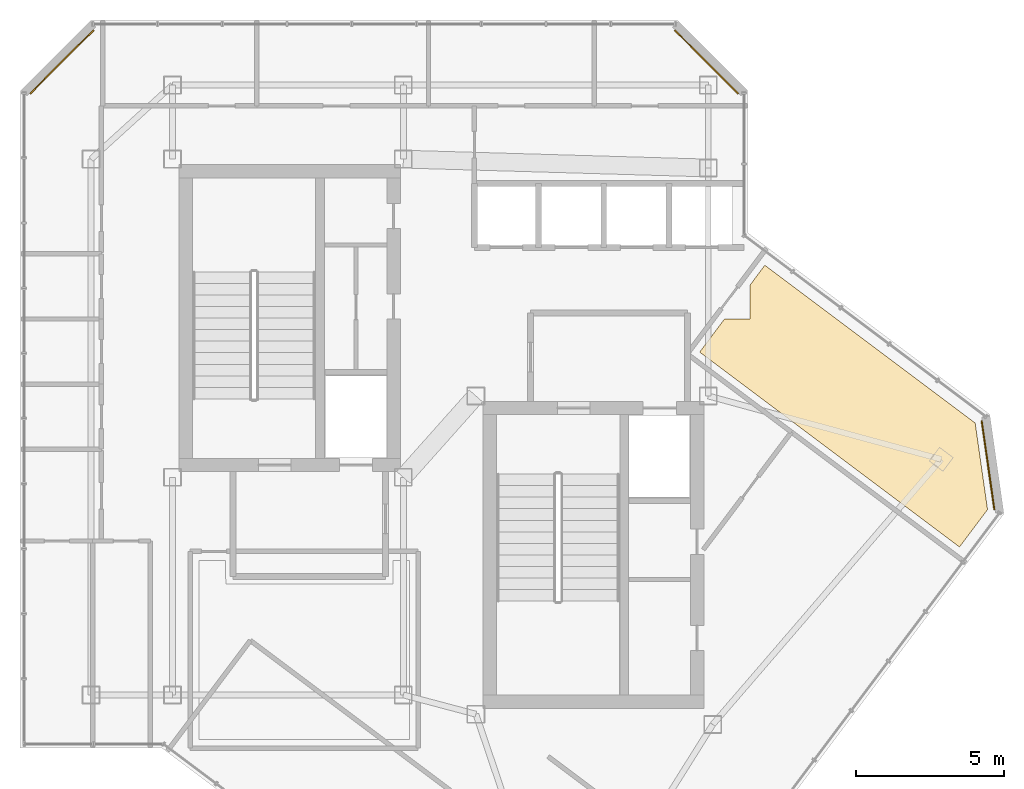
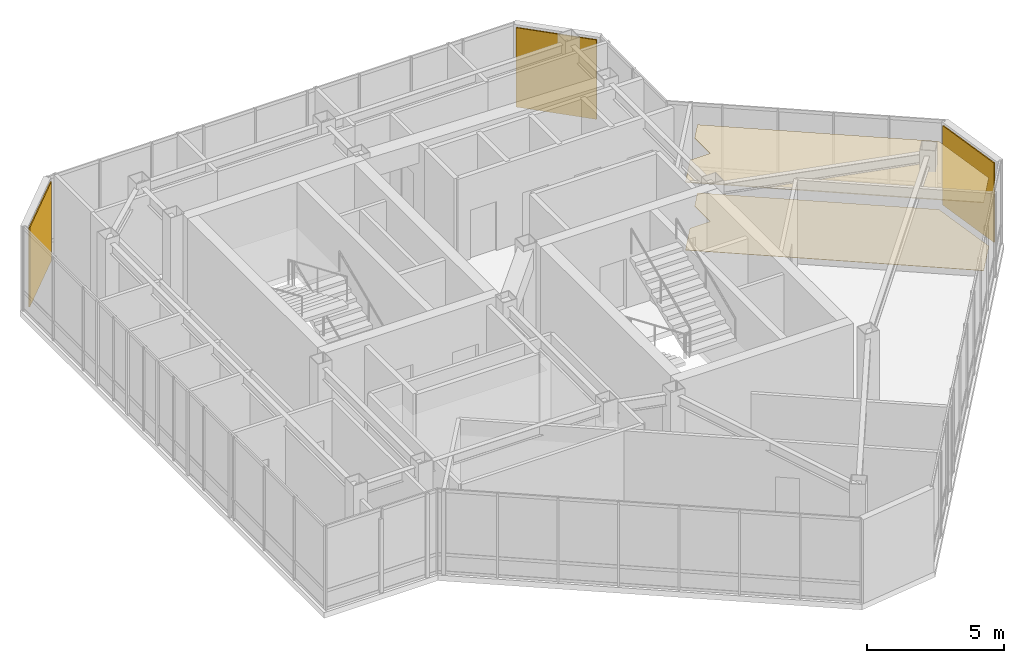
# One storey, part 29 of 29: 5 coverings.
"""IFC4 building model written with IfcOpenShell, lengths in metres."""

from ifc_helpers import new_model, si_unit, direction, frame, origin, origin_2d, place, context, subcontext, project, spatial, polyline, rectangle, outline, extrude, material, layer, layer_set, type_object, element, save


model = new_model("IFC4")

# Units and contexts
model_context = context("Model", 3, precision=1e-05, world=origin(), true_north=direction((0.0, 1.0)))
body_context = subcontext(model_context, "Body", "Model", "MODEL_VIEW")
ifc_project = project(units=[si_unit("LENGTHUNIT", "METRE"), si_unit("AREAUNIT", "SQUARE_METRE"), si_unit("VOLUMEUNIT", "CUBIC_METRE"), si_unit("PLANEANGLEUNIT", "RADIAN"), si_unit("MASSUNIT", "GRAM", prefix="KILO")], contexts=[model_context])

# Site, building, storey
site_placement = place(None, origin())
site = spatial("IfcSite", under=ifc_project, at=site_placement, CompositionType="ELEMENT")
building_placement = place(site_placement, origin())
building = spatial("IfcBuilding", under=site, at=building_placement, Name="Hatsunagi Terrace Concourse", CompositionType="ELEMENT")
storey_placement = place(building_placement, frame((0.0, 0.0, 277.949951171875)))
storey = spatial("IfcBuildingStorey", under=building, at=storey_placement, Name="L73", CompositionType="ELEMENT", Elevation=277.949951171875)

# Coverings
ifc_material_1 = material(Name="Hardwood timber", Category="wood")
ifc_layer_1 = layer(ifc_material_1, 0.014892578125)
ifc_layer_set_1 = layer_set([ifc_layer_1], Name="HardwoodTimberFlooring_15")
covering_type_1 = type_object("IfcCoveringType", Name="HardwoodTimberFlooring_15", PredefinedType="FLOORING", material=ifc_layer_set_1)
covering_1_placement = place(storey_placement, origin())
element("IfcCovering", 1, at=covering_1_placement, inside=storey, type_object=covering_type_1, Name="Finished Flooring L73-2", PredefinedType="FLOORING", context=body_context, shape_type="SweptSolid", body=[
    extrude(outline(polyline([(52.666015625, 34.387939453125), (45.56201171875, 39.716064453125), (45.05810546875, 39.04296875), (45.054931640625, 37.89599609375), (44.194091796875, 37.89306640625), (43.360107421875, 36.780029296875), (52.135986328125, 30.197998046875), (53.083984375, 31.4619140625), (52.666015625, 34.387939453125)])), origin(), (0.0, 0.0, 1.0), 0.01513671875),
])
ifc_material_2 = material(Name="Unglazed Warm Terracotta Rainscreen Tile", Category="masonry")
ifc_layer_2 = layer(ifc_material_2, 0.044921875)
ifc_layer_set_2 = layer_set([ifc_layer_2], Name="TerracottaRainscreenCladding_45")
covering_type_2 = type_object("IfcCoveringType", Name="TerracottaRainscreenCladding_45", PredefinedType="CLADDING", material=ifc_layer_set_2)
for number, where, z_axis, x_axis, name in (
    (2, (53.10107421875, 32.9580078125, 0.10009765625), (0.0, 0.0, 1.0), (0.141250262458, -0.989973920543, 0.0), "Terracotta Rainscreen Cladding L73-02"),
    (3, (21.81396484375, 46.5859375, 0.10009765625), (0.0, 0.0, 1.0), (0.707106781187, 0.707106781187, 0.0), "Terracotta Rainscreen Cladding L73-08"),
    (4, (43.5859375, 46.5859375, 0.10009765625), (0.0, 0.0, 1.0), (0.707106781187, -0.707106781187, 0.0), "Terracotta Rainscreen Cladding L73-10"),
):
    element("IfcCovering", number, at=place(storey_placement, frame(where, z_axis=z_axis, x_axis=x_axis)), inside=storey, type_object=covering_type_2, Name=name, PredefinedType="CLADDING", context=body_context, shape_type="SweptSolid", body=[
        extrude(rectangle(XDim=3.0380859375, YDim=0.044921875, at=origin_2d()), origin(), (0.0, 0.0, 1.0), 3.5400390625),
    ])
ifc_material_3 = material(Name="Hardwood timber", Category="wood")
ifc_layer_3 = layer(ifc_material_3, 0.034912109375)
ifc_layer_set_3 = layer_set([ifc_layer_3], Name="TimberBaffleCeiling_35")
covering_type_3 = type_object("IfcCoveringType", Name="TimberBaffleCeiling_35", PredefinedType="CEILING", material=ifc_layer_set_3)
covering_2_placement = place(storey_placement, frame((0.0, 0.0, 3.02001953125)))
element("IfcCovering", 5, at=covering_2_placement, inside=storey, type_object=covering_type_3, Name="Suspended Ceiling L73-2", PredefinedType="CEILING", context=body_context, shape_type="SweptSolid", body=[
    extrude(outline(polyline([(52.666015625, 34.387939453125), (45.56201171875, 39.716064453125), (45.05810546875, 39.04296875), (45.054931640625, 37.89599609375), (44.194091796875, 37.89306640625), (43.360107421875, 36.780029296875), (52.135986328125, 30.197998046875), (53.083984375, 31.4619140625), (52.666015625, 34.387939453125)])), origin(), (0.0, 0.0, 1.0), 0.034912109375),
])

save(model, "model.ifc")
